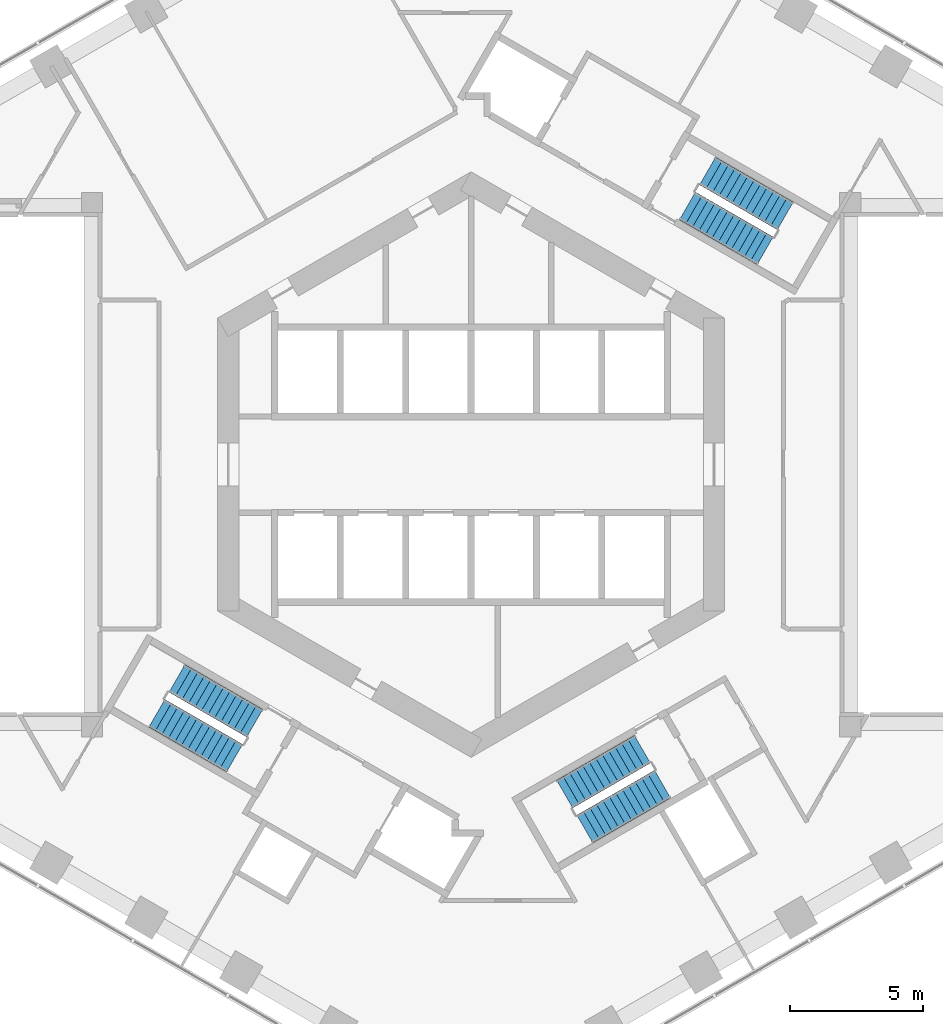
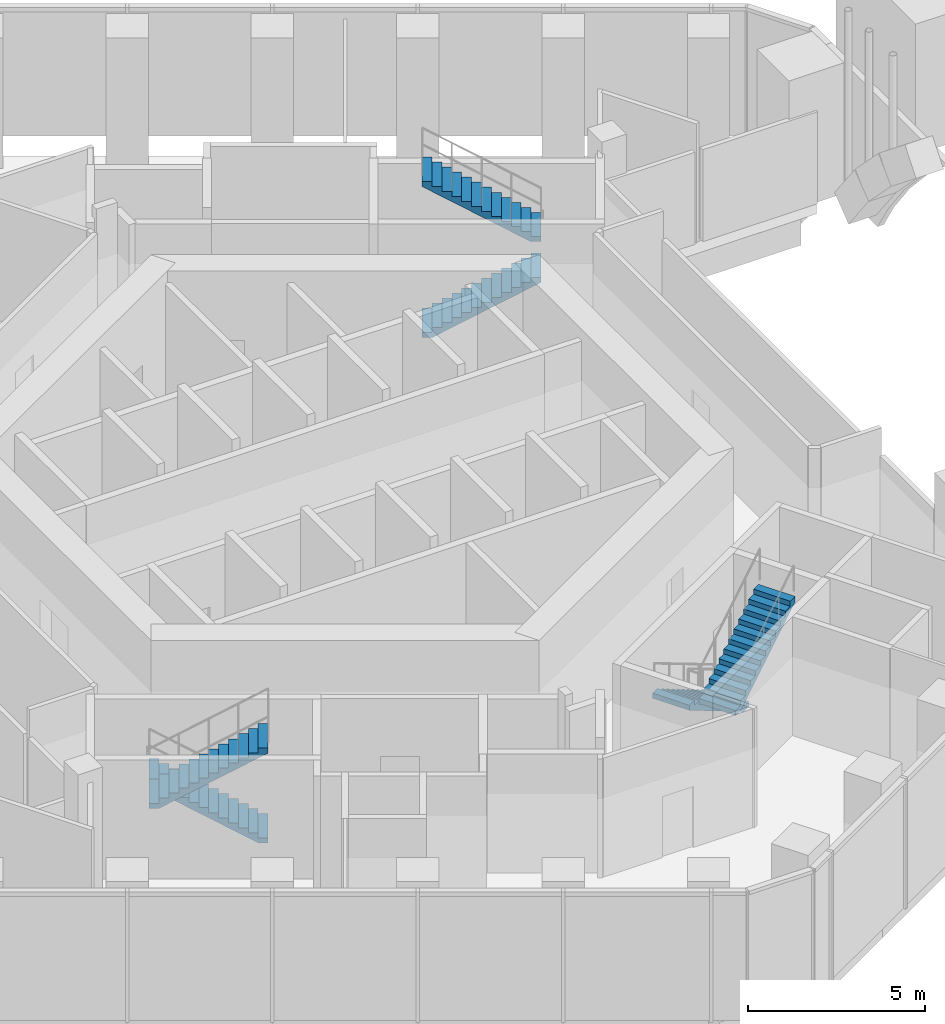
# One storey, part 12 of 14: 6 stair flights, 3 elements without a shape of their own.
"""IFC4 building model written with IfcOpenShell, lengths in metres."""

from ifc_helpers import new_model, si_unit, direction, frame, origin, place, context, subcontext, project, spatial, triangles, material, type_object, element, aggregate, save


model = new_model("IFC4")

# Units and contexts
model_context = context("Model", 3, precision=1e-05, world=origin(), true_north=direction((0.0, 1.0)))
body_context = subcontext(model_context, "Body", "Model", "MODEL_VIEW")
ifc_project = project(units=[si_unit("LENGTHUNIT", "METRE"), si_unit("AREAUNIT", "SQUARE_METRE"), si_unit("VOLUMEUNIT", "CUBIC_METRE"), si_unit("PLANEANGLEUNIT", "RADIAN"), si_unit("MASSUNIT", "GRAM", prefix="KILO")], contexts=[model_context])

# Site, building, storey
site_placement = place(None, origin())
site = spatial("IfcSite", under=ifc_project, at=site_placement, CompositionType="ELEMENT")
building_placement = place(site_placement, origin())
building = spatial("IfcBuilding", under=site, at=building_placement, Name="Ayvan Gate Tower", CompositionType="ELEMENT")
storey_placement = place(building_placement, frame((0.0, 0.0, 11.5)))
storey = spatial("IfcBuildingStorey", under=building, at=storey_placement, Name="L02", CompositionType="ELEMENT", Elevation=11.5)

# Stair, stair flights
ifc_material = material(Name="Concrete C40/50", Category="concrete")
stair_type = type_object("IfcStairType", Name="ST-EXIT", PredefinedType="HALF_TURN_STAIR", material=ifc_material)
stair_1_placement = place(storey_placement, origin())
stair_1 = element("IfcStair", 1, at=stair_1_placement, inside=storey, type_object=stair_type, Name="L02 Exit Stair S1", PredefinedType="HALF_TURN_STAIR")
stair_flight_type = type_object("IfcStairFlightType", Name="SFL-EXIT", PredefinedType="STRAIGHT", material=ifc_material)
stair_flight_1_placement = place(storey_placement, frame((8.106201171875, 9.690185546875, 0.0), z_axis=(0.0, 0.0, 1.0), x_axis=(0.866025403784, -0.5, 0.0)))
stair_flight_1 = element("IfcStairFlight", 2, at=stair_flight_1_placement, type_object=stair_flight_type, Name="STS1 flight 1", NumberOfRisers=13, NumberOfTreads=12, PredefinedType="STRAIGHT", RiserHeight=0.173076923, TreadLength=0.28, context=body_context, shape_type="Tessellation", body=[
    triangles([(0.285099, -0.599976, 0.0), (3.3605, -0.599976, 1.901004), (3.3605, -0.599976, 2.076923), (3.08, -0.599976, 2.076923), (3.08, -0.599976, 1.903846), (2.8, -0.599976, 1.903846), (2.8, -0.599976, 1.730769), (2.52, -0.599976, 1.730769), (2.52, -0.599976, 1.557692), (2.24, -0.599976, 1.557692), (2.24, -0.599976, 1.384615), (1.96, -0.599976, 1.384615), (1.96, -0.599976, 1.211538), (1.68, -0.599976, 1.211538), (1.68, -0.599976, 1.038462), (1.4, -0.599976, 1.038462), (1.4, -0.599976, 0.865385), (1.12, -0.599976, 0.865385), (1.12, -0.599976, 0.692308), (0.84, -0.599976, 0.692308), (0.84, -0.599976, 0.519231), (0.56, -0.599976, 0.519231), (0.56, -0.599976, 0.346154), (0.28, -0.599976, 0.346154), (0.28, -0.599976, 0.173077), (-0.0005, -0.599976, 0.173077), (-0.0005, -0.599976, 0.0), (0.285099, 0.0, 0.0), (3.3605, 0.0, 1.901004), (3.3605, 0.0, 2.076923), (3.08, 0.0, 2.076923), (3.08, 0.0, 1.903846), (2.8, 0.0, 1.903846), (2.8, 0.0, 1.730769), (2.52, 0.0, 1.730769), (2.52, 0.0, 1.557692), (2.24, 0.0, 1.557692), (2.24, 0.0, 1.384615), (1.96, 0.0, 1.384615), (1.96, 0.0, 1.211538), (1.68, 0.0, 1.211538), (1.68, 0.0, 1.038462), (1.4, 0.0, 1.038462), (1.4, 0.0, 0.865385), (1.12, 0.0, 0.865385), (1.12, 0.0, 0.692308), (0.84, 0.0, 0.692308), (0.84, 0.0, 0.519231), (0.56, 0.0, 0.519231), (0.56, 0.0, 0.346154), (0.28, 0.0, 0.346154), (0.28, 0.0, 0.173077), (-0.0005, 0.0, 0.173077), (-0.0005, 0.0, 0.0), (0.285099, 0.599976, 0.0), (3.3605, 0.599976, 1.901004), (3.3605, 0.599976, 2.076923), (3.08, 0.599976, 2.076923), (3.08, 0.599976, 1.903846), (2.8, 0.599976, 1.903846), (2.8, 0.599976, 1.730769), (2.52, 0.599976, 1.730769), (2.52, 0.599976, 1.557692), (2.24, 0.599976, 1.557692), (2.24, 0.599976, 1.384615), (1.96, 0.599976, 1.384615), (1.96, 0.599976, 1.211538), (1.68, 0.599976, 1.211538), (1.68, 0.599976, 1.038462), (1.4, 0.599976, 1.038462), (1.4, 0.599976, 0.865385), (1.12, 0.599976, 0.865385), (1.12, 0.599976, 0.692308), (0.84, 0.599976, 0.692308), (0.84, 0.599976, 0.519231), (0.56, 0.599976, 0.519231), (0.56, 0.599976, 0.346154), (0.28, 0.599976, 0.346154), (0.28, 0.599976, 0.173077), (-0.0005, 0.599976, 0.173077), (-0.0005, 0.599976, 0.0)], [[27, 1, 2], [81, 56, 55], [2, 3, 4], [56, 58, 57], [2, 4, 5], [56, 59, 58], [2, 5, 6], [56, 60, 59], [2, 6, 7], [56, 61, 60], [7, 8, 9], [61, 63, 62], [2, 7, 9], [56, 63, 61], [9, 10, 11], [63, 65, 64], [2, 9, 11], [56, 65, 63], [11, 12, 13], [65, 67, 66], [2, 11, 13], [56, 67, 65], [13, 14, 15], [67, 69, 68], [2, 13, 15], [56, 69, 67], [15, 16, 17], [69, 71, 70], [2, 15, 17], [56, 71, 69], [17, 18, 19], [71, 73, 72], [2, 17, 19], [56, 73, 71], [19, 20, 21], [73, 75, 74], [2, 19, 21], [56, 75, 73], [21, 22, 23], [75, 77, 76], [2, 21, 23], [56, 77, 75], [23, 24, 25], [77, 79, 78], [2, 23, 25], [56, 79, 77], [27, 2, 25], [81, 79, 56], [25, 26, 27], [79, 81, 80], [1, 28, 29], [1, 29, 2], [55, 29, 28], [55, 56, 29], [2, 29, 30], [2, 30, 3], [56, 30, 29], [56, 57, 30], [3, 30, 31], [3, 31, 4], [57, 31, 30], [57, 58, 31], [4, 31, 32], [4, 32, 5], [58, 32, 31], [58, 59, 32], [5, 32, 33], [5, 33, 6], [59, 33, 32], [59, 60, 33], [6, 33, 34], [6, 34, 7], [60, 34, 33], [60, 61, 34], [7, 34, 35], [7, 35, 8], [61, 35, 34], [61, 62, 35], [8, 35, 36], [8, 36, 9], [62, 36, 35], [62, 63, 36], [9, 36, 37], [9, 37, 10], [63, 37, 36], [63, 64, 37], [10, 37, 38], [10, 38, 11], [64, 38, 37], [64, 65, 38], [11, 38, 39], [11, 39, 12], [65, 39, 38], [65, 66, 39], [12, 39, 40], [12, 40, 13], [66, 40, 39], [66, 67, 40], [13, 40, 41], [13, 41, 14], [67, 41, 40], [67, 68, 41], [14, 41, 42], [14, 42, 15], [68, 42, 41], [68, 69, 42], [15, 42, 43], [15, 43, 16], [69, 43, 42], [69, 70, 43], [16, 43, 44], [16, 44, 17], [70, 44, 43], [70, 71, 44], [17, 44, 45], [17, 45, 18], [71, 45, 44], [71, 72, 45], [18, 45, 46], [18, 46, 19], [72, 46, 45], [72, 73, 46], [19, 46, 47], [19, 47, 20], [73, 47, 46], [73, 74, 47], [20, 47, 48], [20, 48, 21], [74, 48, 47], [74, 75, 48], [21, 48, 49], [21, 49, 22], [75, 49, 48], [75, 76, 49], [22, 49, 50], [22, 50, 23], [76, 50, 49], [76, 77, 50], [23, 50, 51], [23, 51, 24], [77, 51, 50], [77, 78, 51], [24, 51, 52], [24, 52, 25], [78, 52, 51], [78, 79, 52], [25, 52, 53], [25, 53, 26], [79, 53, 52], [79, 80, 53], [26, 53, 54], [26, 54, 27], [80, 54, 53], [80, 81, 54], [27, 54, 28], [27, 28, 1], [81, 28, 54], [81, 55, 28]], closed=True),
])
stair_flight_2_placement = place(storey_placement, frame((11.77099609375, 9.31787109375, 2.25), z_axis=(0.0, 0.0, 1.0), x_axis=(-0.866025403784, 0.5, 0.0)))
stair_flight_2 = element("IfcStairFlight", 3, at=stair_flight_2_placement, type_object=stair_flight_type, Name="STS1 flight 2", NumberOfRisers=13, NumberOfTreads=12, PredefinedType="STRAIGHT", RiserHeight=0.173076923, TreadLength=0.28, context=body_context, shape_type="Tessellation", body=[
    triangles([(0.285099, -0.599976, 0.0), (3.3605, -0.599976, 1.901004), (3.3605, -0.599976, 2.076923), (3.08, -0.599976, 2.076923), (3.08, -0.599976, 1.903846), (2.8, -0.599976, 1.903846), (2.8, -0.599976, 1.730769), (2.52, -0.599976, 1.730769), (2.52, -0.599976, 1.557692), (2.24, -0.599976, 1.557692), (2.24, -0.599976, 1.384615), (1.96, -0.599976, 1.384615), (1.96, -0.599976, 1.211538), (1.68, -0.599976, 1.211538), (1.68, -0.599976, 1.038462), (1.4, -0.599976, 1.038462), (1.4, -0.599976, 0.865385), (1.12, -0.599976, 0.865385), (1.12, -0.599976, 0.692308), (0.84, -0.599976, 0.692308), (0.84, -0.599976, 0.519231), (0.56, -0.599976, 0.519231), (0.56, -0.599976, 0.346154), (0.28, -0.599976, 0.346154), (0.28, -0.599976, 0.173077), (-0.0005, -0.599976, 0.173077), (-0.0005, -0.599976, 0.0), (0.285099, 0.0, 0.0), (3.3605, 0.0, 1.901004), (3.3605, 0.0, 2.076923), (3.08, 0.0, 2.076923), (3.08, 0.0, 1.903846), (2.8, 0.0, 1.903846), (2.8, 0.0, 1.730769), (2.52, 0.0, 1.730769), (2.52, 0.0, 1.557692), (2.24, 0.0, 1.557692), (2.24, 0.0, 1.384615), (1.96, 0.0, 1.384615), (1.96, 0.0, 1.211538), (1.68, 0.0, 1.211538), (1.68, 0.0, 1.038462), (1.4, 0.0, 1.038462), (1.4, 0.0, 0.865385), (1.12, 0.0, 0.865385), (1.12, 0.0, 0.692308), (0.84, 0.0, 0.692308), (0.84, 0.0, 0.519231), (0.56, 0.0, 0.519231), (0.56, 0.0, 0.346154), (0.28, 0.0, 0.346154), (0.28, 0.0, 0.173077), (-0.0005, 0.0, 0.173077), (-0.0005, 0.0, 0.0), (0.285099, 0.599976, 0.0), (3.3605, 0.599976, 1.901004), (3.3605, 0.599976, 2.076923), (3.08, 0.599976, 2.076923), (3.08, 0.599976, 1.903846), (2.8, 0.599976, 1.903846), (2.8, 0.599976, 1.730769), (2.52, 0.599976, 1.730769), (2.52, 0.599976, 1.557692), (2.24, 0.599976, 1.557692), (2.24, 0.599976, 1.384615), (1.96, 0.599976, 1.384615), (1.96, 0.599976, 1.211538), (1.68, 0.599976, 1.211538), (1.68, 0.599976, 1.038462), (1.4, 0.599976, 1.038462), (1.4, 0.599976, 0.865385), (1.12, 0.599976, 0.865385), (1.12, 0.599976, 0.692308), (0.84, 0.599976, 0.692308), (0.84, 0.599976, 0.519231), (0.56, 0.599976, 0.519231), (0.56, 0.599976, 0.346154), (0.28, 0.599976, 0.346154), (0.28, 0.599976, 0.173077), (-0.0005, 0.599976, 0.173077), (-0.0005, 0.599976, 0.0)], [[27, 1, 2], [81, 56, 55], [2, 3, 4], [56, 58, 57], [2, 4, 5], [56, 59, 58], [2, 5, 6], [56, 60, 59], [2, 6, 7], [56, 61, 60], [7, 8, 9], [61, 63, 62], [2, 7, 9], [56, 63, 61], [9, 10, 11], [63, 65, 64], [2, 9, 11], [56, 65, 63], [11, 12, 13], [65, 67, 66], [2, 11, 13], [56, 67, 65], [13, 14, 15], [67, 69, 68], [2, 13, 15], [56, 69, 67], [15, 16, 17], [69, 71, 70], [2, 15, 17], [56, 71, 69], [17, 18, 19], [71, 73, 72], [2, 17, 19], [56, 73, 71], [19, 20, 21], [73, 75, 74], [2, 19, 21], [56, 75, 73], [21, 22, 23], [75, 77, 76], [2, 21, 23], [56, 77, 75], [23, 24, 25], [77, 79, 78], [2, 23, 25], [56, 79, 77], [27, 2, 25], [81, 79, 56], [25, 26, 27], [79, 81, 80], [1, 28, 29], [1, 29, 2], [55, 29, 28], [55, 56, 29], [2, 29, 30], [2, 30, 3], [56, 30, 29], [56, 57, 30], [3, 30, 31], [3, 31, 4], [57, 31, 30], [57, 58, 31], [4, 31, 32], [4, 32, 5], [58, 32, 31], [58, 59, 32], [5, 32, 33], [5, 33, 6], [59, 33, 32], [59, 60, 33], [6, 33, 34], [6, 34, 7], [60, 34, 33], [60, 61, 34], [7, 34, 35], [7, 35, 8], [61, 35, 34], [61, 62, 35], [8, 35, 36], [8, 36, 9], [62, 36, 35], [62, 63, 36], [9, 36, 37], [9, 37, 10], [63, 37, 36], [63, 64, 37], [10, 37, 38], [10, 38, 11], [64, 38, 37], [64, 65, 38], [11, 38, 39], [11, 39, 12], [65, 39, 38], [65, 66, 39], [12, 39, 40], [12, 40, 13], [66, 40, 39], [66, 67, 40], [13, 40, 41], [13, 41, 14], [67, 41, 40], [67, 68, 41], [14, 41, 42], [14, 42, 15], [68, 42, 41], [68, 69, 42], [15, 42, 43], [15, 43, 16], [69, 43, 42], [69, 70, 43], [16, 43, 44], [16, 44, 17], [70, 44, 43], [70, 71, 44], [17, 44, 45], [17, 45, 18], [71, 45, 44], [71, 72, 45], [18, 45, 46], [18, 46, 19], [72, 46, 45], [72, 73, 46], [19, 46, 47], [19, 47, 20], [73, 47, 46], [73, 74, 47], [20, 47, 48], [20, 48, 21], [74, 48, 47], [74, 75, 48], [21, 48, 49], [21, 49, 22], [75, 49, 48], [75, 76, 49], [22, 49, 50], [22, 50, 23], [76, 50, 49], [76, 77, 50], [23, 50, 51], [23, 51, 24], [77, 51, 50], [77, 78, 51], [24, 51, 52], [24, 52, 25], [78, 52, 51], [78, 79, 52], [25, 52, 53], [25, 53, 26], [79, 53, 52], [79, 80, 53], [26, 53, 54], [26, 54, 27], [80, 54, 53], [80, 81, 54], [27, 54, 28], [27, 28, 1], [81, 28, 54], [81, 55, 28]], closed=True),
])
aggregate(stair_1, [stair_flight_1, stair_flight_2])

stair_2_placement = place(storey_placement, origin())
stair_2 = element("IfcStair", 4, at=stair_2_placement, inside=storey, type_object=stair_type, Name="L02 Exit Stair S2", PredefinedType="HALF_TURN_STAIR")
stair_flight_3_placement = place(storey_placement, frame((-8.106201171875, -9.690185546875, 0.0), z_axis=(0.0, 0.0, 1.0), x_axis=(-0.866025403784, 0.5, 0.0)))
stair_flight_3 = element("IfcStairFlight", 5, at=stair_flight_3_placement, type_object=stair_flight_type, Name="STS2 flight 1", NumberOfRisers=13, NumberOfTreads=12, PredefinedType="STRAIGHT", RiserHeight=0.173076923, TreadLength=0.28, context=body_context, shape_type="Tessellation", body=[
    triangles([(0.285099, -0.599976, 0.0), (3.3605, -0.599976, 1.901004), (3.3605, -0.599976, 2.076923), (3.08, -0.599976, 2.076923), (3.08, -0.599976, 1.903846), (2.8, -0.599976, 1.903846), (2.8, -0.599976, 1.730769), (2.52, -0.599976, 1.730769), (2.52, -0.599976, 1.557692), (2.24, -0.599976, 1.557692), (2.24, -0.599976, 1.384615), (1.96, -0.599976, 1.384615), (1.96, -0.599976, 1.211538), (1.68, -0.599976, 1.211538), (1.68, -0.599976, 1.038462), (1.4, -0.599976, 1.038462), (1.4, -0.599976, 0.865385), (1.12, -0.599976, 0.865385), (1.12, -0.599976, 0.692308), (0.84, -0.599976, 0.692308), (0.84, -0.599976, 0.519231), (0.56, -0.599976, 0.519231), (0.56, -0.599976, 0.346154), (0.28, -0.599976, 0.346154), (0.28, -0.599976, 0.173077), (-0.0005, -0.599976, 0.173077), (-0.0005, -0.599976, 0.0), (0.285099, 0.0, 0.0), (3.3605, 0.0, 1.901004), (3.3605, 0.0, 2.076923), (3.08, 0.0, 2.076923), (3.08, 0.0, 1.903846), (2.8, 0.0, 1.903846), (2.8, 0.0, 1.730769), (2.52, 0.0, 1.730769), (2.52, 0.0, 1.557692), (2.24, 0.0, 1.557692), (2.24, 0.0, 1.384615), (1.96, 0.0, 1.384615), (1.96, 0.0, 1.211538), (1.68, 0.0, 1.211538), (1.68, 0.0, 1.038462), (1.4, 0.0, 1.038462), (1.4, 0.0, 0.865385), (1.12, 0.0, 0.865385), (1.12, 0.0, 0.692308), (0.84, 0.0, 0.692308), (0.84, 0.0, 0.519231), (0.56, 0.0, 0.519231), (0.56, 0.0, 0.346154), (0.28, 0.0, 0.346154), (0.28, 0.0, 0.173077), (-0.0005, 0.0, 0.173077), (-0.0005, 0.0, 0.0), (0.285099, 0.599976, 0.0), (3.3605, 0.599976, 1.901004), (3.3605, 0.599976, 2.076923), (3.08, 0.599976, 2.076923), (3.08, 0.599976, 1.903846), (2.8, 0.599976, 1.903846), (2.8, 0.599976, 1.730769), (2.52, 0.599976, 1.730769), (2.52, 0.599976, 1.557692), (2.24, 0.599976, 1.557692), (2.24, 0.599976, 1.384615), (1.96, 0.599976, 1.384615), (1.96, 0.599976, 1.211538), (1.68, 0.599976, 1.211538), (1.68, 0.599976, 1.038462), (1.4, 0.599976, 1.038462), (1.4, 0.599976, 0.865385), (1.12, 0.599976, 0.865385), (1.12, 0.599976, 0.692308), (0.84, 0.599976, 0.692308), (0.84, 0.599976, 0.519231), (0.56, 0.599976, 0.519231), (0.56, 0.599976, 0.346154), (0.28, 0.599976, 0.346154), (0.28, 0.599976, 0.173077), (-0.0005, 0.599976, 0.173077), (-0.0005, 0.599976, 0.0)], [[27, 1, 2], [81, 56, 55], [2, 3, 4], [56, 58, 57], [2, 4, 5], [56, 59, 58], [2, 5, 6], [56, 60, 59], [2, 6, 7], [56, 61, 60], [7, 8, 9], [61, 63, 62], [2, 7, 9], [56, 63, 61], [9, 10, 11], [63, 65, 64], [2, 9, 11], [56, 65, 63], [11, 12, 13], [65, 67, 66], [2, 11, 13], [56, 67, 65], [13, 14, 15], [67, 69, 68], [2, 13, 15], [56, 69, 67], [15, 16, 17], [69, 71, 70], [2, 15, 17], [56, 71, 69], [17, 18, 19], [71, 73, 72], [2, 17, 19], [56, 73, 71], [19, 20, 21], [73, 75, 74], [2, 19, 21], [56, 75, 73], [21, 22, 23], [75, 77, 76], [2, 21, 23], [56, 77, 75], [23, 24, 25], [77, 79, 78], [2, 23, 25], [56, 79, 77], [27, 2, 25], [81, 79, 56], [25, 26, 27], [79, 81, 80], [1, 28, 29], [1, 29, 2], [55, 29, 28], [55, 56, 29], [2, 29, 30], [2, 30, 3], [56, 30, 29], [56, 57, 30], [3, 30, 31], [3, 31, 4], [57, 31, 30], [57, 58, 31], [4, 31, 32], [4, 32, 5], [58, 32, 31], [58, 59, 32], [5, 32, 33], [5, 33, 6], [59, 33, 32], [59, 60, 33], [6, 33, 34], [6, 34, 7], [60, 34, 33], [60, 61, 34], [7, 34, 35], [7, 35, 8], [61, 35, 34], [61, 62, 35], [8, 35, 36], [8, 36, 9], [62, 36, 35], [62, 63, 36], [9, 36, 37], [9, 37, 10], [63, 37, 36], [63, 64, 37], [10, 37, 38], [10, 38, 11], [64, 38, 37], [64, 65, 38], [11, 38, 39], [11, 39, 12], [65, 39, 38], [65, 66, 39], [12, 39, 40], [12, 40, 13], [66, 40, 39], [66, 67, 40], [13, 40, 41], [13, 41, 14], [67, 41, 40], [67, 68, 41], [14, 41, 42], [14, 42, 15], [68, 42, 41], [68, 69, 42], [15, 42, 43], [15, 43, 16], [69, 43, 42], [69, 70, 43], [16, 43, 44], [16, 44, 17], [70, 44, 43], [70, 71, 44], [17, 44, 45], [17, 45, 18], [71, 45, 44], [71, 72, 45], [18, 45, 46], [18, 46, 19], [72, 46, 45], [72, 73, 46], [19, 46, 47], [19, 47, 20], [73, 47, 46], [73, 74, 47], [20, 47, 48], [20, 48, 21], [74, 48, 47], [74, 75, 48], [21, 48, 49], [21, 49, 22], [75, 49, 48], [75, 76, 49], [22, 49, 50], [22, 50, 23], [76, 50, 49], [76, 77, 50], [23, 50, 51], [23, 51, 24], [77, 51, 50], [77, 78, 51], [24, 51, 52], [24, 52, 25], [78, 52, 51], [78, 79, 52], [25, 52, 53], [25, 53, 26], [79, 53, 52], [79, 80, 53], [26, 53, 54], [26, 54, 27], [80, 54, 53], [80, 81, 54], [27, 54, 28], [27, 28, 1], [81, 28, 54], [81, 55, 28]], closed=True),
])
stair_flight_4_placement = place(storey_placement, frame((-11.77099609375, -9.31787109375, 2.25), z_axis=(0.0, 0.0, 1.0), x_axis=(0.866025403784, -0.5, 0.0)))
stair_flight_4 = element("IfcStairFlight", 6, at=stair_flight_4_placement, type_object=stair_flight_type, Name="STS2 flight 2", NumberOfRisers=13, NumberOfTreads=12, PredefinedType="STRAIGHT", RiserHeight=0.173076923, TreadLength=0.28, context=body_context, shape_type="Tessellation", body=[
    triangles([(0.285099, -0.599976, 0.0), (3.3605, -0.599976, 1.901004), (3.3605, -0.599976, 2.076923), (3.08, -0.599976, 2.076923), (3.08, -0.599976, 1.903846), (2.8, -0.599976, 1.903846), (2.8, -0.599976, 1.730769), (2.52, -0.599976, 1.730769), (2.52, -0.599976, 1.557692), (2.24, -0.599976, 1.557692), (2.24, -0.599976, 1.384615), (1.96, -0.599976, 1.384615), (1.96, -0.599976, 1.211538), (1.68, -0.599976, 1.211538), (1.68, -0.599976, 1.038462), (1.4, -0.599976, 1.038462), (1.4, -0.599976, 0.865385), (1.12, -0.599976, 0.865385), (1.12, -0.599976, 0.692308), (0.84, -0.599976, 0.692308), (0.84, -0.599976, 0.519231), (0.56, -0.599976, 0.519231), (0.56, -0.599976, 0.346154), (0.28, -0.599976, 0.346154), (0.28, -0.599976, 0.173077), (-0.0005, -0.599976, 0.173077), (-0.0005, -0.599976, 0.0), (0.285099, 0.0, 0.0), (3.3605, 0.0, 1.901004), (3.3605, 0.0, 2.076923), (3.08, 0.0, 2.076923), (3.08, 0.0, 1.903846), (2.8, 0.0, 1.903846), (2.8, 0.0, 1.730769), (2.52, 0.0, 1.730769), (2.52, 0.0, 1.557692), (2.24, 0.0, 1.557692), (2.24, 0.0, 1.384615), (1.96, 0.0, 1.384615), (1.96, 0.0, 1.211538), (1.68, 0.0, 1.211538), (1.68, 0.0, 1.038462), (1.4, 0.0, 1.038462), (1.4, 0.0, 0.865385), (1.12, 0.0, 0.865385), (1.12, 0.0, 0.692308), (0.84, 0.0, 0.692308), (0.84, 0.0, 0.519231), (0.56, 0.0, 0.519231), (0.56, 0.0, 0.346154), (0.28, 0.0, 0.346154), (0.28, 0.0, 0.173077), (-0.0005, 0.0, 0.173077), (-0.0005, 0.0, 0.0), (0.285099, 0.599976, 0.0), (3.3605, 0.599976, 1.901004), (3.3605, 0.599976, 2.076923), (3.08, 0.599976, 2.076923), (3.08, 0.599976, 1.903846), (2.8, 0.599976, 1.903846), (2.8, 0.599976, 1.730769), (2.52, 0.599976, 1.730769), (2.52, 0.599976, 1.557692), (2.24, 0.599976, 1.557692), (2.24, 0.599976, 1.384615), (1.96, 0.599976, 1.384615), (1.96, 0.599976, 1.211538), (1.68, 0.599976, 1.211538), (1.68, 0.599976, 1.038462), (1.4, 0.599976, 1.038462), (1.4, 0.599976, 0.865385), (1.12, 0.599976, 0.865385), (1.12, 0.599976, 0.692308), (0.84, 0.599976, 0.692308), (0.84, 0.599976, 0.519231), (0.56, 0.599976, 0.519231), (0.56, 0.599976, 0.346154), (0.28, 0.599976, 0.346154), (0.28, 0.599976, 0.173077), (-0.0005, 0.599976, 0.173077), (-0.0005, 0.599976, 0.0)], [[27, 1, 2], [81, 56, 55], [2, 3, 4], [56, 58, 57], [2, 4, 5], [56, 59, 58], [2, 5, 6], [56, 60, 59], [2, 6, 7], [56, 61, 60], [7, 8, 9], [61, 63, 62], [2, 7, 9], [56, 63, 61], [9, 10, 11], [63, 65, 64], [2, 9, 11], [56, 65, 63], [11, 12, 13], [65, 67, 66], [2, 11, 13], [56, 67, 65], [13, 14, 15], [67, 69, 68], [2, 13, 15], [56, 69, 67], [15, 16, 17], [69, 71, 70], [2, 15, 17], [56, 71, 69], [17, 18, 19], [71, 73, 72], [2, 17, 19], [56, 73, 71], [19, 20, 21], [73, 75, 74], [2, 19, 21], [56, 75, 73], [21, 22, 23], [75, 77, 76], [2, 21, 23], [56, 77, 75], [23, 24, 25], [77, 79, 78], [2, 23, 25], [56, 79, 77], [27, 2, 25], [81, 79, 56], [25, 26, 27], [79, 81, 80], [1, 28, 29], [1, 29, 2], [55, 29, 28], [55, 56, 29], [2, 29, 30], [2, 30, 3], [56, 30, 29], [56, 57, 30], [3, 30, 31], [3, 31, 4], [57, 31, 30], [57, 58, 31], [4, 31, 32], [4, 32, 5], [58, 32, 31], [58, 59, 32], [5, 32, 33], [5, 33, 6], [59, 33, 32], [59, 60, 33], [6, 33, 34], [6, 34, 7], [60, 34, 33], [60, 61, 34], [7, 34, 35], [7, 35, 8], [61, 35, 34], [61, 62, 35], [8, 35, 36], [8, 36, 9], [62, 36, 35], [62, 63, 36], [9, 36, 37], [9, 37, 10], [63, 37, 36], [63, 64, 37], [10, 37, 38], [10, 38, 11], [64, 38, 37], [64, 65, 38], [11, 38, 39], [11, 39, 12], [65, 39, 38], [65, 66, 39], [12, 39, 40], [12, 40, 13], [66, 40, 39], [66, 67, 40], [13, 40, 41], [13, 41, 14], [67, 41, 40], [67, 68, 41], [14, 41, 42], [14, 42, 15], [68, 42, 41], [68, 69, 42], [15, 42, 43], [15, 43, 16], [69, 43, 42], [69, 70, 43], [16, 43, 44], [16, 44, 17], [70, 44, 43], [70, 71, 44], [17, 44, 45], [17, 45, 18], [71, 45, 44], [71, 72, 45], [18, 45, 46], [18, 46, 19], [72, 46, 45], [72, 73, 46], [19, 46, 47], [19, 47, 20], [73, 47, 46], [73, 74, 47], [20, 47, 48], [20, 48, 21], [74, 48, 47], [74, 75, 48], [21, 48, 49], [21, 49, 22], [75, 49, 48], [75, 76, 49], [22, 49, 50], [22, 50, 23], [76, 50, 49], [76, 77, 50], [23, 50, 51], [23, 51, 24], [77, 51, 50], [77, 78, 51], [24, 51, 52], [24, 52, 25], [78, 52, 51], [78, 79, 52], [25, 52, 53], [25, 53, 26], [79, 53, 52], [79, 80, 53], [26, 53, 54], [26, 54, 27], [80, 54, 53], [80, 81, 54], [27, 54, 28], [27, 28, 1], [81, 28, 54], [81, 55, 28]], closed=True),
])
aggregate(stair_2, [stair_flight_3, stair_flight_4])

stair_3_placement = place(storey_placement, origin())
stair_3 = element("IfcStair", 7, at=stair_3_placement, inside=storey, type_object=stair_type, Name="L02 Exit Stair S3", PredefinedType="HALF_TURN_STAIR")
stair_flight_5_placement = place(storey_placement, frame((6.417236328125, -10.665283203125, 0.0), z_axis=(0.0, 0.0, 1.0), x_axis=(-0.866025403784, -0.5, 0.0)))
stair_flight_5 = element("IfcStairFlight", 8, at=stair_flight_5_placement, type_object=stair_flight_type, Name="STS3 flight 1", NumberOfRisers=13, NumberOfTreads=12, PredefinedType="STRAIGHT", RiserHeight=0.173076923, TreadLength=0.28, context=body_context, shape_type="Tessellation", body=[
    triangles([(0.285099, -0.599976, 0.0), (3.3605, -0.599976, 1.901004), (3.3605, -0.599976, 2.076923), (3.08, -0.599976, 2.076923), (3.08, -0.599976, 1.903846), (2.8, -0.599976, 1.903846), (2.8, -0.599976, 1.730769), (2.52, -0.599976, 1.730769), (2.52, -0.599976, 1.557692), (2.24, -0.599976, 1.557692), (2.24, -0.599976, 1.384615), (1.96, -0.599976, 1.384615), (1.96, -0.599976, 1.211538), (1.68, -0.599976, 1.211538), (1.68, -0.599976, 1.038462), (1.4, -0.599976, 1.038462), (1.4, -0.599976, 0.865385), (1.12, -0.599976, 0.865385), (1.12, -0.599976, 0.692308), (0.84, -0.599976, 0.692308), (0.84, -0.599976, 0.519231), (0.56, -0.599976, 0.519231), (0.56, -0.599976, 0.346154), (0.28, -0.599976, 0.346154), (0.28, -0.599976, 0.173077), (-0.0005, -0.599976, 0.173077), (-0.0005, -0.599976, 0.0), (0.285099, 0.0, 0.0), (3.3605, 0.0, 1.901004), (3.3605, 0.0, 2.076923), (3.08, 0.0, 2.076923), (3.08, 0.0, 1.903846), (2.8, 0.0, 1.903846), (2.8, 0.0, 1.730769), (2.52, 0.0, 1.730769), (2.52, 0.0, 1.557692), (2.24, 0.0, 1.557692), (2.24, 0.0, 1.384615), (1.96, 0.0, 1.384615), (1.96, 0.0, 1.211538), (1.68, 0.0, 1.211538), (1.68, 0.0, 1.038462), (1.4, 0.0, 1.038462), (1.4, 0.0, 0.865385), (1.12, 0.0, 0.865385), (1.12, 0.0, 0.692308), (0.84, 0.0, 0.692308), (0.84, 0.0, 0.519231), (0.56, 0.0, 0.519231), (0.56, 0.0, 0.346154), (0.28, 0.0, 0.346154), (0.28, 0.0, 0.173077), (-0.0005, 0.0, 0.173077), (-0.0005, 0.0, 0.0), (0.285099, 0.599976, 0.0), (3.3605, 0.599976, 1.901004), (3.3605, 0.599976, 2.076923), (3.08, 0.599976, 2.076923), (3.08, 0.599976, 1.903846), (2.8, 0.599976, 1.903846), (2.8, 0.599976, 1.730769), (2.52, 0.599976, 1.730769), (2.52, 0.599976, 1.557692), (2.24, 0.599976, 1.557692), (2.24, 0.599976, 1.384615), (1.96, 0.599976, 1.384615), (1.96, 0.599976, 1.211538), (1.68, 0.599976, 1.211538), (1.68, 0.599976, 1.038462), (1.4, 0.599976, 1.038462), (1.4, 0.599976, 0.865385), (1.12, 0.599976, 0.865385), (1.12, 0.599976, 0.692308), (0.84, 0.599976, 0.692308), (0.84, 0.599976, 0.519231), (0.56, 0.599976, 0.519231), (0.56, 0.599976, 0.346154), (0.28, 0.599976, 0.346154), (0.28, 0.599976, 0.173077), (-0.0005, 0.599976, 0.173077), (-0.0005, 0.599976, 0.0)], [[27, 1, 2], [81, 56, 55], [2, 3, 4], [56, 58, 57], [2, 4, 5], [56, 59, 58], [2, 5, 6], [56, 60, 59], [2, 6, 7], [56, 61, 60], [7, 8, 9], [61, 63, 62], [2, 7, 9], [56, 63, 61], [9, 10, 11], [63, 65, 64], [2, 9, 11], [56, 65, 63], [11, 12, 13], [65, 67, 66], [2, 11, 13], [56, 67, 65], [13, 14, 15], [67, 69, 68], [2, 13, 15], [56, 69, 67], [15, 16, 17], [69, 71, 70], [2, 15, 17], [56, 71, 69], [17, 18, 19], [71, 73, 72], [2, 17, 19], [56, 73, 71], [19, 20, 21], [73, 75, 74], [2, 19, 21], [56, 75, 73], [21, 22, 23], [75, 77, 76], [2, 21, 23], [56, 77, 75], [23, 24, 25], [77, 79, 78], [2, 23, 25], [56, 79, 77], [27, 2, 25], [81, 79, 56], [25, 26, 27], [79, 81, 80], [1, 28, 29], [1, 29, 2], [55, 29, 28], [55, 56, 29], [2, 29, 30], [2, 30, 3], [56, 30, 29], [56, 57, 30], [3, 30, 31], [3, 31, 4], [57, 31, 30], [57, 58, 31], [4, 31, 32], [4, 32, 5], [58, 32, 31], [58, 59, 32], [5, 32, 33], [5, 33, 6], [59, 33, 32], [59, 60, 33], [6, 33, 34], [6, 34, 7], [60, 34, 33], [60, 61, 34], [7, 34, 35], [7, 35, 8], [61, 35, 34], [61, 62, 35], [8, 35, 36], [8, 36, 9], [62, 36, 35], [62, 63, 36], [9, 36, 37], [9, 37, 10], [63, 37, 36], [63, 64, 37], [10, 37, 38], [10, 38, 11], [64, 38, 37], [64, 65, 38], [11, 38, 39], [11, 39, 12], [65, 39, 38], [65, 66, 39], [12, 39, 40], [12, 40, 13], [66, 40, 39], [66, 67, 40], [13, 40, 41], [13, 41, 14], [67, 41, 40], [67, 68, 41], [14, 41, 42], [14, 42, 15], [68, 42, 41], [68, 69, 42], [15, 42, 43], [15, 43, 16], [69, 43, 42], [69, 70, 43], [16, 43, 44], [16, 44, 17], [70, 44, 43], [70, 71, 44], [17, 44, 45], [17, 45, 18], [71, 45, 44], [71, 72, 45], [18, 45, 46], [18, 46, 19], [72, 46, 45], [72, 73, 46], [19, 46, 47], [19, 47, 20], [73, 47, 46], [73, 74, 47], [20, 47, 48], [20, 48, 21], [74, 48, 47], [74, 75, 48], [21, 48, 49], [21, 49, 22], [75, 49, 48], [75, 76, 49], [22, 49, 50], [22, 50, 23], [76, 50, 49], [76, 77, 50], [23, 50, 51], [23, 51, 24], [77, 51, 50], [77, 78, 51], [24, 51, 52], [24, 52, 25], [78, 52, 51], [78, 79, 52], [25, 52, 53], [25, 53, 26], [79, 53, 52], [79, 80, 53], [26, 53, 54], [26, 54, 27], [80, 54, 53], [80, 81, 54], [27, 54, 28], [27, 28, 1], [81, 28, 54], [81, 55, 28]], closed=True),
])
stair_flight_6_placement = place(storey_placement, frame((4.262451171875, -13.65283203125, 2.25), z_axis=(0.0, 0.0, 1.0), x_axis=(0.866025403784, 0.5, 0.0)))
stair_flight_6 = element("IfcStairFlight", 9, at=stair_flight_6_placement, type_object=stair_flight_type, Name="STS3 flight 2", NumberOfRisers=13, NumberOfTreads=12, PredefinedType="STRAIGHT", RiserHeight=0.173076923, TreadLength=0.28, context=body_context, shape_type="Tessellation", body=[
    triangles([(0.285099, -0.599976, 0.0), (3.3605, -0.599976, 1.901004), (3.3605, -0.599976, 2.076923), (3.08, -0.599976, 2.076923), (3.08, -0.599976, 1.903846), (2.8, -0.599976, 1.903846), (2.8, -0.599976, 1.730769), (2.52, -0.599976, 1.730769), (2.52, -0.599976, 1.557692), (2.24, -0.599976, 1.557692), (2.24, -0.599976, 1.384615), (1.96, -0.599976, 1.384615), (1.96, -0.599976, 1.211538), (1.68, -0.599976, 1.211538), (1.68, -0.599976, 1.038462), (1.4, -0.599976, 1.038462), (1.4, -0.599976, 0.865385), (1.12, -0.599976, 0.865385), (1.12, -0.599976, 0.692308), (0.84, -0.599976, 0.692308), (0.84, -0.599976, 0.519231), (0.56, -0.599976, 0.519231), (0.56, -0.599976, 0.346154), (0.28, -0.599976, 0.346154), (0.28, -0.599976, 0.173077), (-0.0005, -0.599976, 0.173077), (-0.0005, -0.599976, 0.0), (0.285099, 0.0, 0.0), (3.3605, 0.0, 1.901004), (3.3605, 0.0, 2.076923), (3.08, 0.0, 2.076923), (3.08, 0.0, 1.903846), (2.8, 0.0, 1.903846), (2.8, 0.0, 1.730769), (2.52, 0.0, 1.730769), (2.52, 0.0, 1.557692), (2.24, 0.0, 1.557692), (2.24, 0.0, 1.384615), (1.96, 0.0, 1.384615), (1.96, 0.0, 1.211538), (1.68, 0.0, 1.211538), (1.68, 0.0, 1.038462), (1.4, 0.0, 1.038462), (1.4, 0.0, 0.865385), (1.12, 0.0, 0.865385), (1.12, 0.0, 0.692308), (0.84, 0.0, 0.692308), (0.84, 0.0, 0.519231), (0.56, 0.0, 0.519231), (0.56, 0.0, 0.346154), (0.28, 0.0, 0.346154), (0.28, 0.0, 0.173077), (-0.0005, 0.0, 0.173077), (-0.0005, 0.0, 0.0), (0.285099, 0.599976, 0.0), (3.3605, 0.599976, 1.901004), (3.3605, 0.599976, 2.076923), (3.08, 0.599976, 2.076923), (3.08, 0.599976, 1.903846), (2.8, 0.599976, 1.903846), (2.8, 0.599976, 1.730769), (2.52, 0.599976, 1.730769), (2.52, 0.599976, 1.557692), (2.24, 0.599976, 1.557692), (2.24, 0.599976, 1.384615), (1.96, 0.599976, 1.384615), (1.96, 0.599976, 1.211538), (1.68, 0.599976, 1.211538), (1.68, 0.599976, 1.038462), (1.4, 0.599976, 1.038462), (1.4, 0.599976, 0.865385), (1.12, 0.599976, 0.865385), (1.12, 0.599976, 0.692308), (0.84, 0.599976, 0.692308), (0.84, 0.599976, 0.519231), (0.56, 0.599976, 0.519231), (0.56, 0.599976, 0.346154), (0.28, 0.599976, 0.346154), (0.28, 0.599976, 0.173077), (-0.0005, 0.599976, 0.173077), (-0.0005, 0.599976, 0.0)], [[27, 1, 2], [81, 56, 55], [2, 3, 4], [56, 58, 57], [2, 4, 5], [56, 59, 58], [2, 5, 6], [56, 60, 59], [2, 6, 7], [56, 61, 60], [7, 8, 9], [61, 63, 62], [2, 7, 9], [56, 63, 61], [9, 10, 11], [63, 65, 64], [2, 9, 11], [56, 65, 63], [11, 12, 13], [65, 67, 66], [2, 11, 13], [56, 67, 65], [13, 14, 15], [67, 69, 68], [2, 13, 15], [56, 69, 67], [15, 16, 17], [69, 71, 70], [2, 15, 17], [56, 71, 69], [17, 18, 19], [71, 73, 72], [2, 17, 19], [56, 73, 71], [19, 20, 21], [73, 75, 74], [2, 19, 21], [56, 75, 73], [21, 22, 23], [75, 77, 76], [2, 21, 23], [56, 77, 75], [23, 24, 25], [77, 79, 78], [2, 23, 25], [56, 79, 77], [27, 2, 25], [81, 79, 56], [25, 26, 27], [79, 81, 80], [1, 28, 29], [1, 29, 2], [55, 29, 28], [55, 56, 29], [2, 29, 30], [2, 30, 3], [56, 30, 29], [56, 57, 30], [3, 30, 31], [3, 31, 4], [57, 31, 30], [57, 58, 31], [4, 31, 32], [4, 32, 5], [58, 32, 31], [58, 59, 32], [5, 32, 33], [5, 33, 6], [59, 33, 32], [59, 60, 33], [6, 33, 34], [6, 34, 7], [60, 34, 33], [60, 61, 34], [7, 34, 35], [7, 35, 8], [61, 35, 34], [61, 62, 35], [8, 35, 36], [8, 36, 9], [62, 36, 35], [62, 63, 36], [9, 36, 37], [9, 37, 10], [63, 37, 36], [63, 64, 37], [10, 37, 38], [10, 38, 11], [64, 38, 37], [64, 65, 38], [11, 38, 39], [11, 39, 12], [65, 39, 38], [65, 66, 39], [12, 39, 40], [12, 40, 13], [66, 40, 39], [66, 67, 40], [13, 40, 41], [13, 41, 14], [67, 41, 40], [67, 68, 41], [14, 41, 42], [14, 42, 15], [68, 42, 41], [68, 69, 42], [15, 42, 43], [15, 43, 16], [69, 43, 42], [69, 70, 43], [16, 43, 44], [16, 44, 17], [70, 44, 43], [70, 71, 44], [17, 44, 45], [17, 45, 18], [71, 45, 44], [71, 72, 45], [18, 45, 46], [18, 46, 19], [72, 46, 45], [72, 73, 46], [19, 46, 47], [19, 47, 20], [73, 47, 46], [73, 74, 47], [20, 47, 48], [20, 48, 21], [74, 48, 47], [74, 75, 48], [21, 48, 49], [21, 49, 22], [75, 49, 48], [75, 76, 49], [22, 49, 50], [22, 50, 23], [76, 50, 49], [76, 77, 50], [23, 50, 51], [23, 51, 24], [77, 51, 50], [77, 78, 51], [24, 51, 52], [24, 52, 25], [78, 52, 51], [78, 79, 52], [25, 52, 53], [25, 53, 26], [79, 53, 52], [79, 80, 53], [26, 53, 54], [26, 54, 27], [80, 54, 53], [80, 81, 54], [27, 54, 28], [27, 28, 1], [81, 28, 54], [81, 55, 28]], closed=True),
])
aggregate(stair_3, [stair_flight_5, stair_flight_6])

save(model, "model.ifc")
